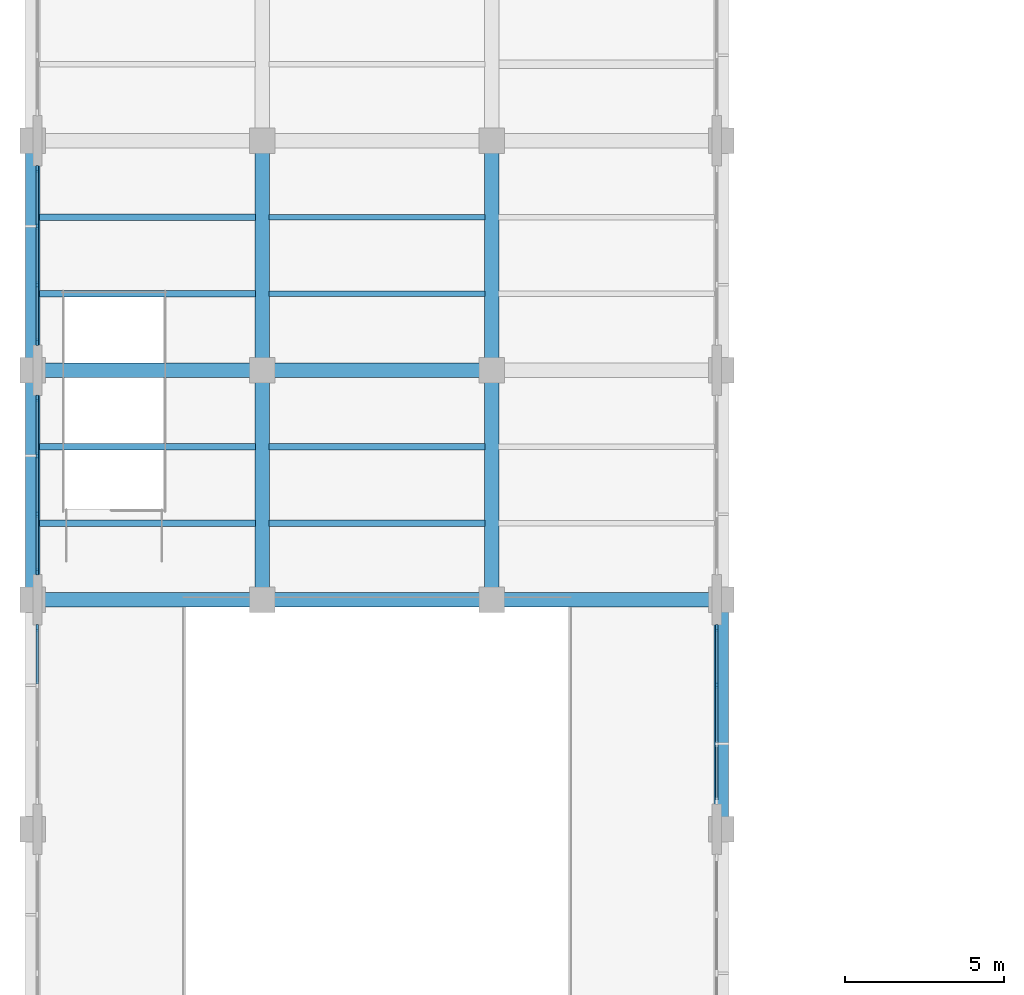
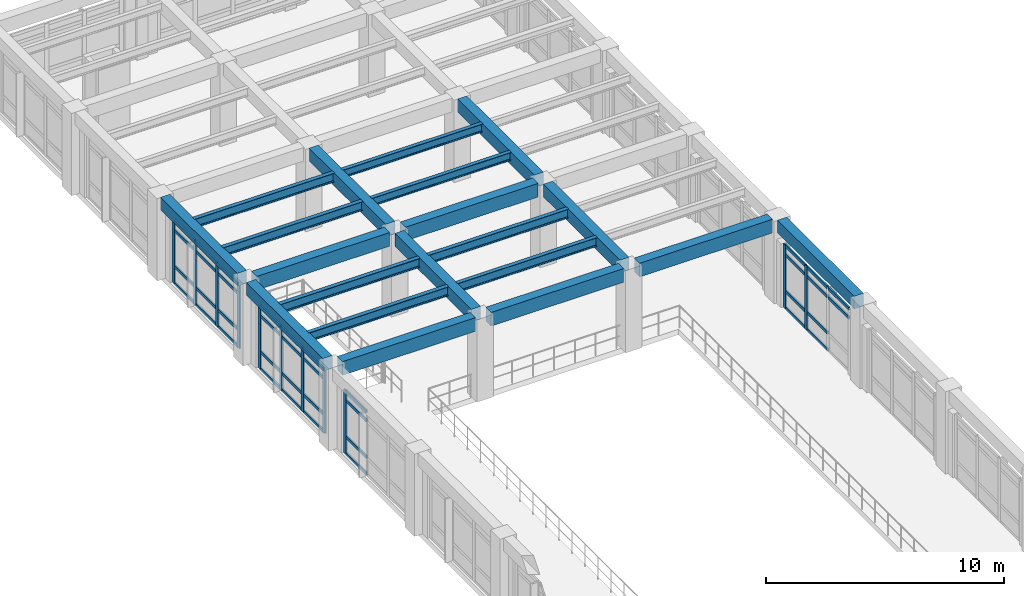
# One storey, part 11 of 67: 49 members, 20 beams, 4 elements without a shape of their own.
"""IFC4 building model written with IfcOpenShell, lengths in metres."""

from ifc_helpers import new_model, si_unit, direction, frame, origin, origin_2d, place, context, subcontext, project, spatial, rectangle, i_section, extrude, material, layer, layer_set, material_profile, profile_set, type_object, element, aggregate, save


model = new_model("IFC4")

# Units and contexts
model_context = context("Model", 3, precision=1e-05, world=origin(), true_north=direction((0.0, 1.0)))
body_context = subcontext(model_context, "Body", "Model", "MODEL_VIEW")
ifc_project = project(units=[si_unit("LENGTHUNIT", "METRE"), si_unit("AREAUNIT", "SQUARE_METRE"), si_unit("VOLUMEUNIT", "CUBIC_METRE"), si_unit("PLANEANGLEUNIT", "RADIAN"), si_unit("MASSUNIT", "GRAM", prefix="KILO")], contexts=[model_context])

# Site, building, storey
site_placement = place(None, origin())
site = spatial("IfcSite", under=ifc_project, at=site_placement, CompositionType="ELEMENT")
building_placement = place(site_placement, origin())
building = spatial("IfcBuilding", under=site, at=building_placement, Name="Solenvale Faculty of Natural Sciences", CompositionType="ELEMENT")
storey_placement = place(building_placement, frame((0.0, 0.0, 13.5)))
storey = spatial("IfcBuildingStorey", under=building, at=storey_placement, Name="L03", CompositionType="ELEMENT", Elevation=13.5)

# Beams
ifc_material_1 = material(Name="Concrete 40 MPa", Category="concrete")
ifc_material_profile_1 = material_profile(ifc_material_1, rectangle(XDim=0.449951171875, YDim=0.64990234375, at=origin_2d()), Name="RC-BM-450x650")
ifc_profile_set_1 = profile_set([ifc_material_profile_1], Name="Concrete 40 MPa")
beam_type_1 = type_object("IfcBeamType", Name="BM-RC-450x650", PredefinedType="BEAM", material=ifc_profile_set_1)
for number, where, z_axis, x_axis, name in (
    (1, (36.0, 65.179931640625, 3.89501953125), (0.0, 1.0, 0.0), (-1.0, 0.0, 0.0), "L03 Y-Girder X36.0 (64.8..72.0)"),
    (2, (36.0, 72.3798828125, 3.89501953125), (0.0, 1.0, 0.0), (-1.0, 0.0, 0.0), "L03 Y-Girder X36.0 (72.0..79.2)"),
    (3, (43.199951171875, 65.179931640625, 3.89501953125), (0.0, 1.0, 0.0), (-1.0, 0.0, 0.0), "L03 Y-Girder X43.2 (64.8..72.0)"),
    (4, (43.199951171875, 72.3798828125, 3.89501953125), (0.0, 1.0, 0.0), (-1.0, 0.0, 0.0), "L03 Y-Girder X43.2 (72.0..79.2)"),
    (5, (50.39990234375, 65.179931640625, 3.89501953125), (0.0, 1.0, 0.0), (-1.0, 0.0, 0.0), "L03 Y-Girder X50.4 (64.8..72.0)"),
    (6, (50.39990234375, 72.3798828125, 3.89501953125), (0.0, 1.0, 0.0), (-1.0, 0.0, 0.0), "L03 Y-Girder X50.4 (72.0..79.2)"),
):
    element("IfcBeam", number, at=place(storey_placement, frame(where, z_axis=z_axis, x_axis=x_axis)), inside=storey, type_object=beam_type_1, Name=name, PredefinedType="BEAM", context=body_context, shape_type="SweptSolid", body=[
        extrude(rectangle(XDim=0.449951171875, YDim=0.64990234375, at=origin_2d()), origin(), (0.0, 0.0, 1.0), 6.440185546875),
    ])
beam_1_placement = place(storey_placement, frame((57.60009765625, 57.97998046875, 3.89501953125), z_axis=(0.0, 1.0, 0.0), x_axis=(-1.0, 0.0, 0.0)))
element("IfcBeam", 7, at=beam_1_placement, inside=storey, type_object=beam_type_1, Name="L03 Y-Girder X57.6 (57.6..64.8)", PredefinedType="BEAM", context=body_context, shape_type="SweptSolid", body=[
    extrude(rectangle(XDim=0.449951171875, YDim=0.64990234375, at=origin_2d()), origin(), (0.0, 0.0, 1.0), 6.43994140625),
])
ifc_material_profile_2 = material_profile(ifc_material_1, rectangle(XDim=0.449951171875, YDim=0.699951171875, at=origin_2d()), Name="RC-BM-450x700")
ifc_profile_set_2 = profile_set([ifc_material_profile_2], Name="Concrete 40 MPa")
beam_type_2 = type_object("IfcBeamType", Name="BM-RC-450x700", PredefinedType="BEAM", material=ifc_profile_set_2)
beam_2_placement = place(storey_placement, frame((36.3798828125, 64.800048828125, 3.8701171875), z_axis=(1.0, 0.0, 0.0), x_axis=(0.0, 1.0, 0.0)))
element("IfcBeam", 8, at=beam_2_placement, inside=storey, type_object=beam_type_2, Name="L03 X-Girder Y64.8 (36.0..43.2)", PredefinedType="BEAM", context=body_context, shape_type="SweptSolid", body=[
    extrude(rectangle(XDim=0.449951171875, YDim=0.699951171875, at=origin_2d()), origin(), (0.0, 0.0, 1.0), 6.440185546875),
])
for number, where, z_axis, x_axis, name in (
    (9, (43.580078125, 64.800048828125, 3.8701171875), (1.0, 0.0, 0.0), (0.0, 1.0, 0.0), "L03 X-Girder Y64.8 (43.2..50.4)"),
    (10, (50.780029296875, 64.800048828125, 3.8701171875), (1.0, 0.0, 0.0), (0.0, 1.0, 0.0), "L03 X-Girder Y64.8 (50.4..57.6)"),
):
    element("IfcBeam", number, at=place(storey_placement, frame(where, z_axis=z_axis, x_axis=x_axis)), inside=storey, type_object=beam_type_2, Name=name, PredefinedType="BEAM", context=body_context, shape_type="SweptSolid", body=[
        extrude(rectangle(XDim=0.449951171875, YDim=0.699951171875, at=origin_2d()), origin(), (0.0, 0.0, 1.0), 6.43994140625),
    ])
beam_3_placement = place(storey_placement, frame((36.3798828125, 72.0, 3.8701171875), z_axis=(1.0, 0.0, 0.0), x_axis=(0.0, 1.0, 0.0)))
element("IfcBeam", 11, at=beam_3_placement, inside=storey, type_object=beam_type_2, Name="L03 X-Girder Y72.0 (36.0..43.2)", PredefinedType="BEAM", context=body_context, shape_type="SweptSolid", body=[
    extrude(rectangle(XDim=0.449951171875, YDim=0.699951171875, at=origin_2d()), origin(), (0.0, 0.0, 1.0), 6.440185546875),
])
beam_4_placement = place(storey_placement, frame((43.580078125, 72.0, 3.8701171875), z_axis=(1.0, 0.0, 0.0), x_axis=(0.0, 1.0, 0.0)))
element("IfcBeam", 12, at=beam_4_placement, inside=storey, type_object=beam_type_2, Name="L03 X-Girder Y72.0 (43.2..50.4)", PredefinedType="BEAM", context=body_context, shape_type="SweptSolid", body=[
    extrude(rectangle(XDim=0.449951171875, YDim=0.699951171875, at=origin_2d()), origin(), (0.0, 0.0, 1.0), 6.43994140625),
])
ifc_material_2 = material(Name="Steel S355", Category="steel")
ifc_material_profile_3 = material_profile(ifc_material_2, i_section(OverallWidth=0.180908203125, OverallDepth=0.4169921875, WebThickness=0.010986328125, FlangeThickness=0.018310546875, FilletRadius=0.01611328125, at=origin_2d()), Name="W410x85")
ifc_profile_set_3 = profile_set([ifc_material_profile_3], Name="Steel S355")
beam_type_3 = type_object("IfcBeamType", Name="BM-STL-W410x85", PredefinedType="JOIST", material=ifc_profile_set_3)
for number, where, z_axis, x_axis, name in (
    (13, (43.405029296875, 74.39990234375, 4.011474609375), (1.0, 0.0, 0.0), (0.0, 1.0, 0.0), "L03 Composite Floor Joist (7,11).1"),
    (14, (43.405029296875, 76.800048828125, 4.011474609375), (1.0, 0.0, 0.0), (0.0, 1.0, 0.0), "L03 Composite Floor Joist (7,11).2"),
):
    element("IfcBeam", number, at=place(storey_placement, frame(where, z_axis=z_axis, x_axis=x_axis)), inside=storey, type_object=beam_type_3, Name=name, PredefinedType="JOIST", context=body_context, shape_type="SweptSolid", body=[
        extrude(i_section(OverallWidth=0.180908203125, OverallDepth=0.4169921875, WebThickness=0.010986328125, FlangeThickness=0.018310546875, FilletRadius=0.01611328125, at=origin_2d()), origin(), (0.0, 0.0, 1.0), 6.7900390625),
    ])
ifc_material_profile_4 = material_profile(ifc_material_2, i_section(OverallWidth=0.194091796875, OverallDepth=0.468994140625, WebThickness=0.0126953125, FlangeThickness=0.0205078125, FilletRadius=0.01806640625, at=origin_2d()), Name="W460x106")
ifc_profile_set_4 = profile_set([ifc_material_profile_4], Name="Steel S355")
beam_type_4 = type_object("IfcBeamType", Name="BM-STL-W460x106", PredefinedType="JOIST", material=ifc_profile_set_4)
for number, where, z_axis, x_axis, name in (
    (15, (36.205078125, 67.199951171875, 3.985595703125), (1.0, 0.0, 0.0), (0.0, 1.0, 0.0), "L03 Composite Floor Joist (6,10).1"),
    (16, (36.205078125, 69.60009765625, 3.985595703125), (1.0, 0.0, 0.0), (0.0, 1.0, 0.0), "L03 Composite Floor Joist (6,10).2"),
):
    element("IfcBeam", number, at=place(storey_placement, frame(where, z_axis=z_axis, x_axis=x_axis)), inside=storey, type_object=beam_type_4, Name=name, PredefinedType="JOIST", context=body_context, shape_type="SweptSolid", body=[
        extrude(i_section(OverallWidth=0.194091796875, OverallDepth=0.468994140625, WebThickness=0.0126953125, FlangeThickness=0.0205078125, FilletRadius=0.01806640625, at=origin_2d()), origin(), (0.0, 0.0, 1.0), 6.7900390625),
    ])
ifc_material_profile_5 = material_profile(ifc_material_2, i_section(OverallWidth=0.19091796875, OverallDepth=0.4599609375, WebThickness=0.010009765625, FlangeThickness=0.01611328125, FilletRadius=0.01806640625, at=origin_2d()), Name="W460x82")
ifc_profile_set_5 = profile_set([ifc_material_profile_5], Name="Steel S355")
beam_type_5 = type_object("IfcBeamType", Name="BM-STL-W460x82", PredefinedType="JOIST", material=ifc_profile_set_5)
for number, where, z_axis, x_axis, name in (
    (17, (36.205078125, 74.39990234375, 3.989990234375), (1.0, 0.0, 0.0), (0.0, 1.0, 0.0), "L03 Composite Floor Joist (6,11).1"),
    (18, (36.205078125, 76.800048828125, 3.989990234375), (1.0, 0.0, 0.0), (0.0, 1.0, 0.0), "L03 Composite Floor Joist (6,11).2"),
    (19, (43.405029296875, 67.199951171875, 3.989990234375), (1.0, 0.0, 0.0), (0.0, 1.0, 0.0), "L03 Composite Floor Joist (7,10).1"),
    (20, (43.405029296875, 69.60009765625, 3.989990234375), (1.0, 0.0, 0.0), (0.0, 1.0, 0.0), "L03 Composite Floor Joist (7,10).2"),
):
    element("IfcBeam", number, at=place(storey_placement, frame(where, z_axis=z_axis, x_axis=x_axis)), inside=storey, type_object=beam_type_5, Name=name, PredefinedType="JOIST", context=body_context, shape_type="SweptSolid", body=[
        extrude(i_section(OverallWidth=0.19091796875, OverallDepth=0.4599609375, WebThickness=0.010009765625, FlangeThickness=0.01611328125, FilletRadius=0.01806640625, at=origin_2d()), origin(), (0.0, 0.0, 1.0), 6.7900390625),
    ])

# Curtain wall, members
ifc_material_3 = material(Name="Anodised bronze aluminium", Category="aluminium")
ifc_layer = layer(ifc_material_3, 0.215087890625)
ifc_layer_set = layer_set([ifc_layer], Name="Anodised bronze aluminium")
curtain_wall_type = type_object("IfcCurtainWallType", Name="CW-ATR-UNIT", PredefinedType="USERDEFINED", material=ifc_layer_set)
curtain_wall_1_placement = place(storey_placement, origin())
curtain_wall_1 = element("IfcCurtainWall", 21, at=curtain_wall_1_placement, inside=storey, type_object=curtain_wall_type, Name="L03 Curtain Wall CW-L03-P1-E1-B4", ObjectType="UNITISED CURTAIN WALL", PredefinedType="USERDEFINED")
ifc_material_profile_6 = material_profile(ifc_material_3, rectangle(XDim=0.074951171875, YDim=0.2099609375, at=origin_2d()), Name="ALU-MUL-75x210")
ifc_profile_set_6 = profile_set([ifc_material_profile_6], Name="Anodised bronze aluminium")
member_type_1 = type_object("IfcMemberType", Name="CWM-ALU-75x210", PredefinedType="MULLION", material=ifc_profile_set_6)
member_1_placement = place(storey_placement, frame((57.45751953125, 62.11669921875, 0.0), z_axis=(0.0, 0.0, 1.0), x_axis=(-1.0, 0.0, 0.0)))
member_1 = element("IfcMember", 22, at=member_1_placement, type_object=member_type_1, Name="CW-01 mullion 3", PredefinedType="MULLION", context=body_context, shape_type="SweptSolid", body=[
    extrude(rectangle(XDim=0.074951171875, YDim=0.2099609375, at=origin_2d()), origin(), (0.0, 0.0, 1.0), 3.260009765625),
])
member_2_placement = place(storey_placement, frame((57.45751953125, 63.91259765625, 0.0), z_axis=(0.0, 0.0, 1.0), x_axis=(-1.0, 0.0, 0.0)))
member_2 = element("IfcMember", 23, at=member_2_placement, type_object=member_type_1, Name="CW-01 mullion 4", PredefinedType="MULLION", context=body_context, shape_type="SweptSolid", body=[
    extrude(rectangle(XDim=0.074951171875, YDim=0.2099609375, at=origin_2d()), origin(), (0.0, 0.0, 1.0), 3.260009765625),
])

curtain_wall_2_placement = place(storey_placement, origin())
curtain_wall_2 = element("IfcCurtainWall", 24, at=curtain_wall_2_placement, inside=storey, type_object=curtain_wall_type, Name="L03 Curtain Wall CW-L03-P1-E3-B3", ObjectType="UNITISED CURTAIN WALL", PredefinedType="USERDEFINED")
member_3_placement = place(storey_placement, frame((36.142578125, 78.3125, 0.0), z_axis=(0.0, 0.0, 1.0), x_axis=(1.0, 0.0, 0.0)))
member_3 = element("IfcMember", 25, at=member_3_placement, type_object=member_type_1, Name="CW-01 mullion 1", PredefinedType="MULLION", context=body_context, shape_type="SweptSolid", body=[
    extrude(rectangle(XDim=0.074951171875, YDim=0.2099609375, at=origin_2d()), origin(), (0.0, 0.0, 1.0), 3.260009765625),
])
member_4_placement = place(storey_placement, frame((36.142578125, 76.5166015625, 0.0), z_axis=(0.0, 0.0, 1.0), x_axis=(1.0, 0.0, 0.0)))
member_4 = element("IfcMember", 26, at=member_4_placement, type_object=member_type_1, Name="CW-01 mullion 2", PredefinedType="MULLION", context=body_context, shape_type="SweptSolid", body=[
    extrude(rectangle(XDim=0.074951171875, YDim=0.2099609375, at=origin_2d()), origin(), (0.0, 0.0, 1.0), 3.260009765625),
])
member_5_placement = place(storey_placement, frame((36.142578125, 74.683349609375, 0.0), z_axis=(0.0, 0.0, 1.0), x_axis=(1.0, 0.0, 0.0)))
member_5 = element("IfcMember", 27, at=member_5_placement, type_object=member_type_1, Name="CW-01 mullion 3", PredefinedType="MULLION", context=body_context, shape_type="SweptSolid", body=[
    extrude(rectangle(XDim=0.074951171875, YDim=0.2099609375, at=origin_2d()), origin(), (0.0, 0.0, 1.0), 3.260009765625),
])
member_6_placement = place(storey_placement, frame((36.142578125, 72.887451171875, 0.0), z_axis=(0.0, 0.0, 1.0), x_axis=(1.0, 0.0, 0.0)))
member_6 = element("IfcMember", 28, at=member_6_placement, type_object=member_type_1, Name="CW-01 mullion 4", PredefinedType="MULLION", context=body_context, shape_type="SweptSolid", body=[
    extrude(rectangle(XDim=0.074951171875, YDim=0.2099609375, at=origin_2d()), origin(), (0.0, 0.0, 1.0), 3.260009765625),
])

curtain_wall_3_placement = place(storey_placement, origin())
curtain_wall_3 = element("IfcCurtainWall", 29, at=curtain_wall_3_placement, inside=storey, type_object=curtain_wall_type, Name="L03 Curtain Wall CW-L03-P1-E3-B4", ObjectType="UNITISED CURTAIN WALL", PredefinedType="USERDEFINED")
member_7_placement = place(storey_placement, frame((36.142578125, 71.112548828125, 0.0), z_axis=(0.0, 0.0, 1.0), x_axis=(1.0, 0.0, 0.0)))
member_7 = element("IfcMember", 30, at=member_7_placement, type_object=member_type_1, Name="CW-01 mullion 1", PredefinedType="MULLION", context=body_context, shape_type="SweptSolid", body=[
    extrude(rectangle(XDim=0.074951171875, YDim=0.2099609375, at=origin_2d()), origin(), (0.0, 0.0, 1.0), 3.260009765625),
])
member_8_placement = place(storey_placement, frame((36.142578125, 69.316650390625, 0.0), z_axis=(0.0, 0.0, 1.0), x_axis=(1.0, 0.0, 0.0)))
member_8 = element("IfcMember", 31, at=member_8_placement, type_object=member_type_1, Name="CW-01 mullion 2", PredefinedType="MULLION", context=body_context, shape_type="SweptSolid", body=[
    extrude(rectangle(XDim=0.074951171875, YDim=0.2099609375, at=origin_2d()), origin(), (0.0, 0.0, 1.0), 3.260009765625),
])
member_9_placement = place(storey_placement, frame((36.142578125, 67.4833984375, 0.0), z_axis=(0.0, 0.0, 1.0), x_axis=(1.0, 0.0, 0.0)))
member_9 = element("IfcMember", 32, at=member_9_placement, type_object=member_type_1, Name="CW-01 mullion 3", PredefinedType="MULLION", context=body_context, shape_type="SweptSolid", body=[
    extrude(rectangle(XDim=0.074951171875, YDim=0.2099609375, at=origin_2d()), origin(), (0.0, 0.0, 1.0), 3.260009765625),
])
member_10_placement = place(storey_placement, frame((36.142578125, 65.6875, 0.0), z_axis=(0.0, 0.0, 1.0), x_axis=(1.0, 0.0, 0.0)))
member_10 = element("IfcMember", 33, at=member_10_placement, type_object=member_type_1, Name="CW-01 mullion 4", PredefinedType="MULLION", context=body_context, shape_type="SweptSolid", body=[
    extrude(rectangle(XDim=0.074951171875, YDim=0.2099609375, at=origin_2d()), origin(), (0.0, 0.0, 1.0), 3.260009765625),
])

# Curtain wall, member
curtain_wall_4_placement = place(storey_placement, origin())
curtain_wall_4 = element("IfcCurtainWall", 34, at=curtain_wall_4_placement, inside=storey, type_object=curtain_wall_type, Name="L03 Curtain Wall CW-L03-P1-E3-B5", ObjectType="UNITISED CURTAIN WALL", PredefinedType="USERDEFINED")
member_11_placement = place(storey_placement, frame((36.142578125, 63.91259765625, 0.0), z_axis=(0.0, 0.0, 1.0), x_axis=(1.0, 0.0, 0.0)))
member_11 = element("IfcMember", 35, at=member_11_placement, type_object=member_type_1, Name="CW-01 mullion 1", PredefinedType="MULLION", context=body_context, shape_type="SweptSolid", body=[
    extrude(rectangle(XDim=0.074951171875, YDim=0.2099609375, at=origin_2d()), origin(), (0.0, 0.0, 1.0), 3.260009765625),
])

# Member
ifc_material_profile_7 = material_profile(ifc_material_3, rectangle(XDim=0.074951171875, YDim=0.155029296875, at=origin_2d()), Name="ALU-TRN-75x155")
ifc_profile_set_7 = profile_set([ifc_material_profile_7], Name="Anodised bronze aluminium")
member_type_2 = type_object("IfcMemberType", Name="CWT-ALU-75x155", PredefinedType="USERDEFINED", material=ifc_profile_set_7)
member_12_placement = place(storey_placement, frame((57.45751953125, 58.52490234375, 2.760009765625), z_axis=(0.0, 1.0, 0.0), x_axis=(-1.0, 0.0, 0.0)))
member_12 = element("IfcMember", 36, at=member_12_placement, type_object=member_type_2, Name="CW-01 transom 1.3", ObjectType="TRANSOM", PredefinedType="USERDEFINED", context=body_context, shape_type="SweptSolid", body=[
    extrude(rectangle(XDim=0.074951171875, YDim=0.155029296875, at=origin_2d()), origin(), (0.0, 0.0, 1.0), 1.720947265625),
])

member_13_placement = place(storey_placement, frame((57.45751953125, 58.52490234375, 3.222412109375), z_axis=(0.0, 1.0, 0.0), x_axis=(-1.0, 0.0, 0.0)))
member_13 = element("IfcMember", 37, at=member_13_placement, type_object=member_type_2, Name="CW-01 transom 1.4", ObjectType="TRANSOM", PredefinedType="USERDEFINED", context=body_context, shape_type="SweptSolid", body=[
    extrude(rectangle(XDim=0.074951171875, YDim=0.155029296875, at=origin_2d()), origin(), (0.0, 0.0, 1.0), 1.720947265625),
])

member_14_placement = place(storey_placement, frame((57.45751953125, 60.32080078125, 0.03759765625), z_axis=(0.0, 1.0, 0.0), x_axis=(-1.0, 0.0, 0.0)))
member_14 = element("IfcMember", 38, at=member_14_placement, type_object=member_type_2, Name="CW-01 transom 2.1", ObjectType="TRANSOM", PredefinedType="USERDEFINED", context=body_context, shape_type="SweptSolid", body=[
    extrude(rectangle(XDim=0.074951171875, YDim=0.155029296875, at=origin_2d()), origin(), (0.0, 0.0, 1.0), 1.75830078125),
])

member_15_placement = place(storey_placement, frame((57.45751953125, 60.32080078125, 0.89990234375), z_axis=(0.0, 1.0, 0.0), x_axis=(-1.0, 0.0, 0.0)))
member_15 = element("IfcMember", 39, at=member_15_placement, type_object=member_type_2, Name="CW-01 transom 2.2", ObjectType="TRANSOM", PredefinedType="USERDEFINED", context=body_context, shape_type="SweptSolid", body=[
    extrude(rectangle(XDim=0.074951171875, YDim=0.155029296875, at=origin_2d()), origin(), (0.0, 0.0, 1.0), 1.75830078125),
])

member_16_placement = place(storey_placement, frame((57.45751953125, 60.32080078125, 2.760009765625), z_axis=(0.0, 1.0, 0.0), x_axis=(-1.0, 0.0, 0.0)))
member_16 = element("IfcMember", 40, at=member_16_placement, type_object=member_type_2, Name="CW-01 transom 2.3", ObjectType="TRANSOM", PredefinedType="USERDEFINED", context=body_context, shape_type="SweptSolid", body=[
    extrude(rectangle(XDim=0.074951171875, YDim=0.155029296875, at=origin_2d()), origin(), (0.0, 0.0, 1.0), 1.75830078125),
])

member_17_placement = place(storey_placement, frame((57.45751953125, 60.32080078125, 3.222412109375), z_axis=(0.0, 1.0, 0.0), x_axis=(-1.0, 0.0, 0.0)))
member_17 = element("IfcMember", 41, at=member_17_placement, type_object=member_type_2, Name="CW-01 transom 2.4", ObjectType="TRANSOM", PredefinedType="USERDEFINED", context=body_context, shape_type="SweptSolid", body=[
    extrude(rectangle(XDim=0.074951171875, YDim=0.155029296875, at=origin_2d()), origin(), (0.0, 0.0, 1.0), 1.75830078125),
])

member_18_placement = place(storey_placement, frame((57.45751953125, 62.154052734375, 0.03759765625), z_axis=(0.0, 1.0, 0.0), x_axis=(-1.0, 0.0, 0.0)))
member_18 = element("IfcMember", 42, at=member_18_placement, type_object=member_type_2, Name="CW-01 transom 3.1", ObjectType="TRANSOM", PredefinedType="USERDEFINED", context=body_context, shape_type="SweptSolid", body=[
    extrude(rectangle(XDim=0.074951171875, YDim=0.155029296875, at=origin_2d()), origin(), (0.0, 0.0, 1.0), 1.720947265625),
])

member_19_placement = place(storey_placement, frame((57.45751953125, 62.154052734375, 0.89990234375), z_axis=(0.0, 1.0, 0.0), x_axis=(-1.0, 0.0, 0.0)))
member_19 = element("IfcMember", 43, at=member_19_placement, type_object=member_type_2, Name="CW-01 transom 3.2", ObjectType="TRANSOM", PredefinedType="USERDEFINED", context=body_context, shape_type="SweptSolid", body=[
    extrude(rectangle(XDim=0.074951171875, YDim=0.155029296875, at=origin_2d()), origin(), (0.0, 0.0, 1.0), 1.720947265625),
])

member_20_placement = place(storey_placement, frame((57.45751953125, 62.154052734375, 2.760009765625), z_axis=(0.0, 1.0, 0.0), x_axis=(-1.0, 0.0, 0.0)))
member_20 = element("IfcMember", 44, at=member_20_placement, type_object=member_type_2, Name="CW-01 transom 3.3", ObjectType="TRANSOM", PredefinedType="USERDEFINED", context=body_context, shape_type="SweptSolid", body=[
    extrude(rectangle(XDim=0.074951171875, YDim=0.155029296875, at=origin_2d()), origin(), (0.0, 0.0, 1.0), 1.720947265625),
])

member_21_placement = place(storey_placement, frame((57.45751953125, 62.154052734375, 3.222412109375), z_axis=(0.0, 1.0, 0.0), x_axis=(-1.0, 0.0, 0.0)))
member_21 = element("IfcMember", 45, at=member_21_placement, type_object=member_type_2, Name="CW-01 transom 3.4", ObjectType="TRANSOM", PredefinedType="USERDEFINED", context=body_context, shape_type="SweptSolid", body=[
    extrude(rectangle(XDim=0.074951171875, YDim=0.155029296875, at=origin_2d()), origin(), (0.0, 0.0, 1.0), 1.720947265625),
])

aggregate(curtain_wall_1, [member_1, member_2, member_12, member_13, member_14, member_15, member_16, member_17, member_18, member_19, member_20, member_21])

member_22_placement = place(storey_placement, frame((36.142578125, 78.27490234375, 0.03759765625), z_axis=(0.0, -1.0, 0.0), x_axis=(1.0, 0.0, 0.0)))
member_22 = element("IfcMember", 46, at=member_22_placement, type_object=member_type_2, Name="CW-01 transom 1.1", ObjectType="TRANSOM", PredefinedType="USERDEFINED", context=body_context, shape_type="SweptSolid", body=[
    extrude(rectangle(XDim=0.074951171875, YDim=0.155029296875, at=origin_2d()), origin(), (0.0, 0.0, 1.0), 1.720703125),
])

member_23_placement = place(storey_placement, frame((36.142578125, 78.27490234375, 0.89990234375), z_axis=(0.0, -1.0, 0.0), x_axis=(1.0, 0.0, 0.0)))
member_23 = element("IfcMember", 47, at=member_23_placement, type_object=member_type_2, Name="CW-01 transom 1.2", ObjectType="TRANSOM", PredefinedType="USERDEFINED", context=body_context, shape_type="SweptSolid", body=[
    extrude(rectangle(XDim=0.074951171875, YDim=0.155029296875, at=origin_2d()), origin(), (0.0, 0.0, 1.0), 1.720703125),
])

member_24_placement = place(storey_placement, frame((36.142578125, 78.27490234375, 2.760009765625), z_axis=(0.0, -1.0, 0.0), x_axis=(1.0, 0.0, 0.0)))
member_24 = element("IfcMember", 48, at=member_24_placement, type_object=member_type_2, Name="CW-01 transom 1.3", ObjectType="TRANSOM", PredefinedType="USERDEFINED", context=body_context, shape_type="SweptSolid", body=[
    extrude(rectangle(XDim=0.074951171875, YDim=0.155029296875, at=origin_2d()), origin(), (0.0, 0.0, 1.0), 1.720703125),
])

member_25_placement = place(storey_placement, frame((36.142578125, 78.27490234375, 3.222412109375), z_axis=(0.0, -1.0, 0.0), x_axis=(1.0, 0.0, 0.0)))
member_25 = element("IfcMember", 49, at=member_25_placement, type_object=member_type_2, Name="CW-01 transom 1.4", ObjectType="TRANSOM", PredefinedType="USERDEFINED", context=body_context, shape_type="SweptSolid", body=[
    extrude(rectangle(XDim=0.074951171875, YDim=0.155029296875, at=origin_2d()), origin(), (0.0, 0.0, 1.0), 1.720703125),
])

member_26_placement = place(storey_placement, frame((36.142578125, 76.479248046875, 0.03759765625), z_axis=(0.0, -1.0, 0.0), x_axis=(1.0, 0.0, 0.0)))
member_26 = element("IfcMember", 50, at=member_26_placement, type_object=member_type_2, Name="CW-01 transom 2.1", ObjectType="TRANSOM", PredefinedType="USERDEFINED", context=body_context, shape_type="SweptSolid", body=[
    extrude(rectangle(XDim=0.074951171875, YDim=0.155029296875, at=origin_2d()), origin(), (0.0, 0.0, 1.0), 1.75830078125),
])

member_27_placement = place(storey_placement, frame((36.142578125, 76.479248046875, 0.89990234375), z_axis=(0.0, -1.0, 0.0), x_axis=(1.0, 0.0, 0.0)))
member_27 = element("IfcMember", 51, at=member_27_placement, type_object=member_type_2, Name="CW-01 transom 2.2", ObjectType="TRANSOM", PredefinedType="USERDEFINED", context=body_context, shape_type="SweptSolid", body=[
    extrude(rectangle(XDim=0.074951171875, YDim=0.155029296875, at=origin_2d()), origin(), (0.0, 0.0, 1.0), 1.75830078125),
])

member_28_placement = place(storey_placement, frame((36.142578125, 76.479248046875, 2.760009765625), z_axis=(0.0, -1.0, 0.0), x_axis=(1.0, 0.0, 0.0)))
member_28 = element("IfcMember", 52, at=member_28_placement, type_object=member_type_2, Name="CW-01 transom 2.3", ObjectType="TRANSOM", PredefinedType="USERDEFINED", context=body_context, shape_type="SweptSolid", body=[
    extrude(rectangle(XDim=0.074951171875, YDim=0.155029296875, at=origin_2d()), origin(), (0.0, 0.0, 1.0), 1.75830078125),
])

member_29_placement = place(storey_placement, frame((36.142578125, 76.479248046875, 3.222412109375), z_axis=(0.0, -1.0, 0.0), x_axis=(1.0, 0.0, 0.0)))
member_29 = element("IfcMember", 53, at=member_29_placement, type_object=member_type_2, Name="CW-01 transom 2.4", ObjectType="TRANSOM", PredefinedType="USERDEFINED", context=body_context, shape_type="SweptSolid", body=[
    extrude(rectangle(XDim=0.074951171875, YDim=0.155029296875, at=origin_2d()), origin(), (0.0, 0.0, 1.0), 1.75830078125),
])

member_30_placement = place(storey_placement, frame((36.142578125, 74.645751953125, 0.03759765625), z_axis=(0.0, -1.0, 0.0), x_axis=(1.0, 0.0, 0.0)))
member_30 = element("IfcMember", 54, at=member_30_placement, type_object=member_type_2, Name="CW-01 transom 3.1", ObjectType="TRANSOM", PredefinedType="USERDEFINED", context=body_context, shape_type="SweptSolid", body=[
    extrude(rectangle(XDim=0.074951171875, YDim=0.155029296875, at=origin_2d()), origin(), (0.0, 0.0, 1.0), 1.720703125),
])

member_31_placement = place(storey_placement, frame((36.142578125, 74.645751953125, 0.89990234375), z_axis=(0.0, -1.0, 0.0), x_axis=(1.0, 0.0, 0.0)))
member_31 = element("IfcMember", 55, at=member_31_placement, type_object=member_type_2, Name="CW-01 transom 3.2", ObjectType="TRANSOM", PredefinedType="USERDEFINED", context=body_context, shape_type="SweptSolid", body=[
    extrude(rectangle(XDim=0.074951171875, YDim=0.155029296875, at=origin_2d()), origin(), (0.0, 0.0, 1.0), 1.720703125),
])

member_32_placement = place(storey_placement, frame((36.142578125, 74.645751953125, 2.760009765625), z_axis=(0.0, -1.0, 0.0), x_axis=(1.0, 0.0, 0.0)))
member_32 = element("IfcMember", 56, at=member_32_placement, type_object=member_type_2, Name="CW-01 transom 3.3", ObjectType="TRANSOM", PredefinedType="USERDEFINED", context=body_context, shape_type="SweptSolid", body=[
    extrude(rectangle(XDim=0.074951171875, YDim=0.155029296875, at=origin_2d()), origin(), (0.0, 0.0, 1.0), 1.720703125),
])

member_33_placement = place(storey_placement, frame((36.142578125, 74.645751953125, 3.222412109375), z_axis=(0.0, -1.0, 0.0), x_axis=(1.0, 0.0, 0.0)))
member_33 = element("IfcMember", 57, at=member_33_placement, type_object=member_type_2, Name="CW-01 transom 3.4", ObjectType="TRANSOM", PredefinedType="USERDEFINED", context=body_context, shape_type="SweptSolid", body=[
    extrude(rectangle(XDim=0.074951171875, YDim=0.155029296875, at=origin_2d()), origin(), (0.0, 0.0, 1.0), 1.720703125),
])

aggregate(curtain_wall_2, [member_3, member_4, member_5, member_6, member_22, member_23, member_24, member_25, member_26, member_27, member_28, member_29, member_30, member_31, member_32, member_33])

member_34_placement = place(storey_placement, frame((36.142578125, 71.074951171875, 0.03759765625), z_axis=(0.0, -1.0, 0.0), x_axis=(1.0, 0.0, 0.0)))
member_34 = element("IfcMember", 58, at=member_34_placement, type_object=member_type_2, Name="CW-01 transom 1.1", ObjectType="TRANSOM", PredefinedType="USERDEFINED", context=body_context, shape_type="SweptSolid", body=[
    extrude(rectangle(XDim=0.074951171875, YDim=0.155029296875, at=origin_2d()), origin(), (0.0, 0.0, 1.0), 1.720703125),
])

member_35_placement = place(storey_placement, frame((36.142578125, 71.074951171875, 0.89990234375), z_axis=(0.0, -1.0, 0.0), x_axis=(1.0, 0.0, 0.0)))
member_35 = element("IfcMember", 59, at=member_35_placement, type_object=member_type_2, Name="CW-01 transom 1.2", ObjectType="TRANSOM", PredefinedType="USERDEFINED", context=body_context, shape_type="SweptSolid", body=[
    extrude(rectangle(XDim=0.074951171875, YDim=0.155029296875, at=origin_2d()), origin(), (0.0, 0.0, 1.0), 1.720703125),
])

member_36_placement = place(storey_placement, frame((36.142578125, 71.074951171875, 2.760009765625), z_axis=(0.0, -1.0, 0.0), x_axis=(1.0, 0.0, 0.0)))
member_36 = element("IfcMember", 60, at=member_36_placement, type_object=member_type_2, Name="CW-01 transom 1.3", ObjectType="TRANSOM", PredefinedType="USERDEFINED", context=body_context, shape_type="SweptSolid", body=[
    extrude(rectangle(XDim=0.074951171875, YDim=0.155029296875, at=origin_2d()), origin(), (0.0, 0.0, 1.0), 1.720703125),
])

member_37_placement = place(storey_placement, frame((36.142578125, 71.074951171875, 3.222412109375), z_axis=(0.0, -1.0, 0.0), x_axis=(1.0, 0.0, 0.0)))
member_37 = element("IfcMember", 61, at=member_37_placement, type_object=member_type_2, Name="CW-01 transom 1.4", ObjectType="TRANSOM", PredefinedType="USERDEFINED", context=body_context, shape_type="SweptSolid", body=[
    extrude(rectangle(XDim=0.074951171875, YDim=0.155029296875, at=origin_2d()), origin(), (0.0, 0.0, 1.0), 1.720703125),
])

member_38_placement = place(storey_placement, frame((36.142578125, 69.279052734375, 0.03759765625), z_axis=(0.0, -1.0, 0.0), x_axis=(1.0, 0.0, 0.0)))
member_38 = element("IfcMember", 62, at=member_38_placement, type_object=member_type_2, Name="CW-01 transom 2.1", ObjectType="TRANSOM", PredefinedType="USERDEFINED", context=body_context, shape_type="SweptSolid", body=[
    extrude(rectangle(XDim=0.074951171875, YDim=0.155029296875, at=origin_2d()), origin(), (0.0, 0.0, 1.0), 1.75830078125),
])

member_39_placement = place(storey_placement, frame((36.142578125, 69.279052734375, 0.89990234375), z_axis=(0.0, -1.0, 0.0), x_axis=(1.0, 0.0, 0.0)))
member_39 = element("IfcMember", 63, at=member_39_placement, type_object=member_type_2, Name="CW-01 transom 2.2", ObjectType="TRANSOM", PredefinedType="USERDEFINED", context=body_context, shape_type="SweptSolid", body=[
    extrude(rectangle(XDim=0.074951171875, YDim=0.155029296875, at=origin_2d()), origin(), (0.0, 0.0, 1.0), 1.75830078125),
])

member_40_placement = place(storey_placement, frame((36.142578125, 69.279052734375, 2.760009765625), z_axis=(0.0, -1.0, 0.0), x_axis=(1.0, 0.0, 0.0)))
member_40 = element("IfcMember", 64, at=member_40_placement, type_object=member_type_2, Name="CW-01 transom 2.3", ObjectType="TRANSOM", PredefinedType="USERDEFINED", context=body_context, shape_type="SweptSolid", body=[
    extrude(rectangle(XDim=0.074951171875, YDim=0.155029296875, at=origin_2d()), origin(), (0.0, 0.0, 1.0), 1.75830078125),
])

member_41_placement = place(storey_placement, frame((36.142578125, 69.279052734375, 3.222412109375), z_axis=(0.0, -1.0, 0.0), x_axis=(1.0, 0.0, 0.0)))
member_41 = element("IfcMember", 65, at=member_41_placement, type_object=member_type_2, Name="CW-01 transom 2.4", ObjectType="TRANSOM", PredefinedType="USERDEFINED", context=body_context, shape_type="SweptSolid", body=[
    extrude(rectangle(XDim=0.074951171875, YDim=0.155029296875, at=origin_2d()), origin(), (0.0, 0.0, 1.0), 1.75830078125),
])

member_42_placement = place(storey_placement, frame((36.142578125, 67.44580078125, 0.03759765625), z_axis=(0.0, -1.0, 0.0), x_axis=(1.0, 0.0, 0.0)))
member_42 = element("IfcMember", 66, at=member_42_placement, type_object=member_type_2, Name="CW-01 transom 3.1", ObjectType="TRANSOM", PredefinedType="USERDEFINED", context=body_context, shape_type="SweptSolid", body=[
    extrude(rectangle(XDim=0.074951171875, YDim=0.155029296875, at=origin_2d()), origin(), (0.0, 0.0, 1.0), 1.720703125),
])

member_43_placement = place(storey_placement, frame((36.142578125, 67.44580078125, 0.89990234375), z_axis=(0.0, -1.0, 0.0), x_axis=(1.0, 0.0, 0.0)))
member_43 = element("IfcMember", 67, at=member_43_placement, type_object=member_type_2, Name="CW-01 transom 3.2", ObjectType="TRANSOM", PredefinedType="USERDEFINED", context=body_context, shape_type="SweptSolid", body=[
    extrude(rectangle(XDim=0.074951171875, YDim=0.155029296875, at=origin_2d()), origin(), (0.0, 0.0, 1.0), 1.720703125),
])

member_44_placement = place(storey_placement, frame((36.142578125, 67.44580078125, 2.760009765625), z_axis=(0.0, -1.0, 0.0), x_axis=(1.0, 0.0, 0.0)))
member_44 = element("IfcMember", 68, at=member_44_placement, type_object=member_type_2, Name="CW-01 transom 3.3", ObjectType="TRANSOM", PredefinedType="USERDEFINED", context=body_context, shape_type="SweptSolid", body=[
    extrude(rectangle(XDim=0.074951171875, YDim=0.155029296875, at=origin_2d()), origin(), (0.0, 0.0, 1.0), 1.720703125),
])

member_45_placement = place(storey_placement, frame((36.142578125, 67.44580078125, 3.222412109375), z_axis=(0.0, -1.0, 0.0), x_axis=(1.0, 0.0, 0.0)))
member_45 = element("IfcMember", 69, at=member_45_placement, type_object=member_type_2, Name="CW-01 transom 3.4", ObjectType="TRANSOM", PredefinedType="USERDEFINED", context=body_context, shape_type="SweptSolid", body=[
    extrude(rectangle(XDim=0.074951171875, YDim=0.155029296875, at=origin_2d()), origin(), (0.0, 0.0, 1.0), 1.720703125),
])

aggregate(curtain_wall_3, [member_7, member_8, member_9, member_10, member_34, member_35, member_36, member_37, member_38, member_39, member_40, member_41, member_42, member_43, member_44, member_45])

member_46_placement = place(storey_placement, frame((36.142578125, 63.875, 0.03759765625), z_axis=(0.0, -1.0, 0.0), x_axis=(1.0, 0.0, 0.0)))
member_46 = element("IfcMember", 70, at=member_46_placement, type_object=member_type_2, Name="CW-01 transom 1.1", ObjectType="TRANSOM", PredefinedType="USERDEFINED", context=body_context, shape_type="SweptSolid", body=[
    extrude(rectangle(XDim=0.074951171875, YDim=0.155029296875, at=origin_2d()), origin(), (0.0, 0.0, 1.0), 1.720947265625),
])

member_47_placement = place(storey_placement, frame((36.142578125, 63.875, 0.89990234375), z_axis=(0.0, -1.0, 0.0), x_axis=(1.0, 0.0, 0.0)))
member_47 = element("IfcMember", 71, at=member_47_placement, type_object=member_type_2, Name="CW-01 transom 1.2", ObjectType="TRANSOM", PredefinedType="USERDEFINED", context=body_context, shape_type="SweptSolid", body=[
    extrude(rectangle(XDim=0.074951171875, YDim=0.155029296875, at=origin_2d()), origin(), (0.0, 0.0, 1.0), 1.720947265625),
])

member_48_placement = place(storey_placement, frame((36.142578125, 63.875, 2.760009765625), z_axis=(0.0, -1.0, 0.0), x_axis=(1.0, 0.0, 0.0)))
member_48 = element("IfcMember", 72, at=member_48_placement, type_object=member_type_2, Name="CW-01 transom 1.3", ObjectType="TRANSOM", PredefinedType="USERDEFINED", context=body_context, shape_type="SweptSolid", body=[
    extrude(rectangle(XDim=0.074951171875, YDim=0.155029296875, at=origin_2d()), origin(), (0.0, 0.0, 1.0), 1.720947265625),
])

member_49_placement = place(storey_placement, frame((36.142578125, 63.875, 3.222412109375), z_axis=(0.0, -1.0, 0.0), x_axis=(1.0, 0.0, 0.0)))
member_49 = element("IfcMember", 73, at=member_49_placement, type_object=member_type_2, Name="CW-01 transom 1.4", ObjectType="TRANSOM", PredefinedType="USERDEFINED", context=body_context, shape_type="SweptSolid", body=[
    extrude(rectangle(XDim=0.074951171875, YDim=0.155029296875, at=origin_2d()), origin(), (0.0, 0.0, 1.0), 1.720947265625),
])

aggregate(curtain_wall_4, [member_11, member_46, member_47, member_48, member_49])

save(model, "model.ifc")
